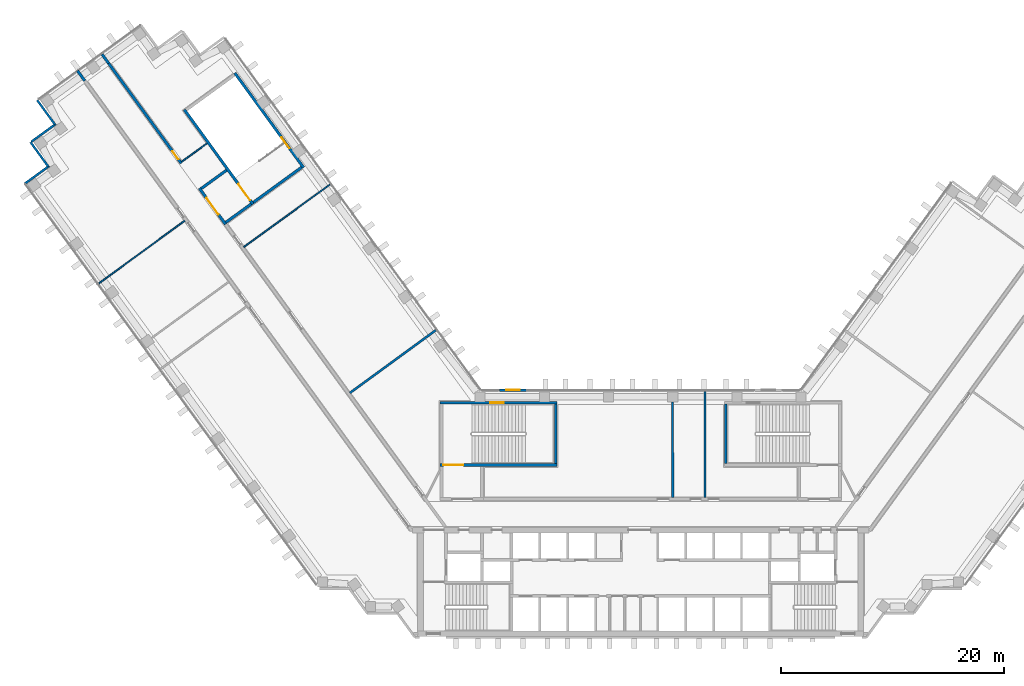
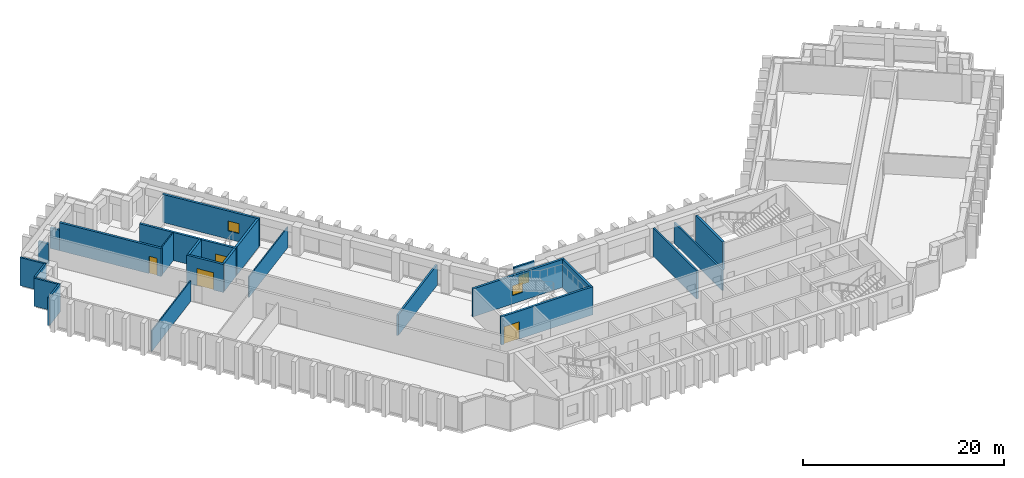
# One storey, part 6 of 11: 24 walls, 4 doors, 3 windows, 7 openings.
"""IFC4 building model written with IfcOpenShell, lengths in metres."""

from ifc_helpers import new_model, si_unit, direction, frame, frame_2d, origin, place, context, subcontext, project, spatial, rectangle, extrude, material, layer, layer_set, type_object, element, fill, save


model = new_model("IFC4")

# Units and contexts
model_context = context("Model", 3, precision=1e-05, world=origin(), true_north=direction((0.0, 1.0)))
body_context = subcontext(model_context, "Body", "Model", "MODEL_VIEW")
ifc_project = project(units=[si_unit("LENGTHUNIT", "METRE"), si_unit("AREAUNIT", "SQUARE_METRE"), si_unit("VOLUMEUNIT", "CUBIC_METRE"), si_unit("PLANEANGLEUNIT", "RADIAN"), si_unit("MASSUNIT", "GRAM", prefix="KILO")], contexts=[model_context])

# Site, building, storey
site_placement = place(None, origin())
site = spatial("IfcSite", under=ifc_project, at=site_placement, CompositionType="ELEMENT")
building_placement = place(site_placement, origin())
building = spatial("IfcBuilding", under=site, at=building_placement, Name="Quipu Civic Tower", CompositionType="ELEMENT")
storey_placement = place(building_placement, frame((0.0, 0.0, 129.0)))
storey = spatial("IfcBuildingStorey", under=building, at=storey_placement, Name="L30", CompositionType="ELEMENT", Elevation=129.0)

# Walls
ifc_material_1 = material(Name="Fired clay blockwork", Category="masonry")
ifc_layer_1 = layer(ifc_material_1, 0.199951171875)
ifc_layer_set_1 = layer_set([ifc_layer_1], Name="Fired clay blockwork")
wall_type_1 = type_object("IfcWallType", Name="Blockwork wall 200", PredefinedType="SOLIDWALL", material=ifc_layer_set_1)
wall_1_placement = place(storey_placement, frame((5.778076171875, 11.0, 0.0), z_axis=(0.0, 0.0, 1.0), x_axis=(0.0, -1.0, 0.0)))
element("IfcWall", 1, at=wall_1_placement, inside=storey, type_object=wall_type_1, Name="Partition P02", PredefinedType="SOLIDWALL", context=body_context, shape_type="SweptSolid", body=[
    extrude(rectangle(XDim=9.550048828125, YDim=0.199951171875, at=frame_2d((4.77490234375, 0.0))), origin(), (0.0, 0.0, 1.0), 2.5),
])
wall_2_placement = place(storey_placement, frame((2.87890625, 1.449951171875, 0.0), z_axis=(0.0, 0.0, 1.0), x_axis=(-0.002357613104, 0.999997220826, 0.0)))
element("IfcWall", 2, at=wall_2_placement, inside=storey, type_object=wall_type_1, Name="Partition P04", PredefinedType="SOLIDWALL", context=body_context, shape_type="SweptSolid", body=[
    extrude(rectangle(XDim=8.594970703125, YDim=0.199951171875, at=frame_2d((4.29736328125, 0.0))), origin(), (0.0, 0.0, 1.0), 3.39990234375),
])
wall_3_placement = place(storey_placement, frame((-26.089111328125, 10.847900390625, 0.0), z_axis=(0.0, 0.0, 1.0), x_axis=(0.807661302092, 0.589646691759, 0.0)))
element("IfcWall", 3, at=wall_3_placement, inside=storey, type_object=wall_type_1, Name="Partition P08", PredefinedType="SOLIDWALL", context=body_context, shape_type="SweptSolid", body=[
    extrude(rectangle(XDim=9.550048828125, YDim=0.199951171875, at=frame_2d((4.77490234375, 0.0))), origin(), (0.0, 0.0, 1.0), 2.5),
])

# Wall, opening, door
ifc_material_2 = material(Name="Concrete C70/85", Category="concrete")
ifc_layer_2 = layer(ifc_material_2, 0.25)
ifc_layer_set_2 = layer_set([ifc_layer_2], Name="Concrete C70/85")
wall_type_2 = type_object("IfcWallType", Name="Core wall 250", PredefinedType="SHEAR", material=ifc_layer_set_2)
wall_4_placement = place(storey_placement, frame((-18.0, 4.375, 0.0), z_axis=(0.0, 0.0, 1.0), x_axis=(1.0, 0.0, 0.0)))
wall_4 = element("IfcWall", 4, at=wall_4_placement, inside=storey, type_object=wall_type_2, Name="Core wall", PredefinedType="SHEAR", context=body_context, shape_type="SweptSolid", body=[
    extrude(rectangle(XDim=10.5, YDim=0.25, at=frame_2d((5.25, 0.0))), origin(), (0.0, 0.0, 1.0), 3.39990234375),
])
opening_1_placement = place(wall_4_placement, frame((0.300048828125, 0.0, 0.0)))
opening_1 = element("IfcOpeningElement", 5, at=opening_1_placement, cuts=wall_4, Name="Opening CD-17", PredefinedType="OPENING", context=body_context, shape_type="SweptSolid", body=[
    extrude(rectangle(XDim=1.800048828125, YDim=2.10009765625, at=frame_2d((0.89990234375, 1.050048828125))), frame((0.0, 0.135009765625, 0.0), z_axis=(0.0, -1.0, 0.0), x_axis=(1.0, 0.0, 0.0)), (0.0, 0.0, 1.0), 0.27001953125),
])
ifc_material_3 = material(Name="Fire rated steel door", Category="steel")
door_type_1 = type_object("IfcDoorType", Name="Fire door FD90 double 1800 x 2100", OperationType="NOTDEFINED", PredefinedType="DOOR", material=ifc_material_3)
door_1_placement = place(opening_1_placement, origin())
door_1 = element("IfcDoor", 6, at=door_1_placement, inside=storey, type_object=door_type_1, Name="Door", OperationType="DOUBLE_DOOR_SINGLE_SWING", OverallHeight=2.10009765625, OverallWidth=1.800048828125, PredefinedType="DOOR", context=body_context, shape_type="SweptSolid", body=[
    extrude(rectangle(XDim=1.800048828125, YDim=2.10009765625, at=frame_2d((0.89990234375, 1.050048828125))), frame((0.0, 0.02490234375, 0.0), z_axis=(0.0, -1.0, 0.0), x_axis=(1.0, 0.0, 0.0)), (0.0, 0.0, 1.0), 0.050048828125),
])
fill(opening_1, door_1)

# Wall
wall_5_placement = place(storey_placement, frame((-7.625, 4.5, 0.0), z_axis=(0.0, 0.0, 1.0), x_axis=(0.0, 1.0, 0.0)))
element("IfcWall", 7, at=wall_5_placement, inside=storey, type_object=wall_type_2, Name="Core wall", PredefinedType="SHEAR", context=body_context, shape_type="SweptSolid", body=[
    extrude(rectangle(XDim=5.35009765625, YDim=0.25, at=frame_2d((2.675048828125, 0.0))), origin(), (0.0, 0.0, 1.0), 3.39990234375),
])

# Wall, opening, window
wall_6_placement = place(storey_placement, frame((-18.0, 9.97509765625, 0.0), z_axis=(0.0, 0.0, 1.0), x_axis=(1.0, 0.0, 0.0)))
wall_6 = element("IfcWall", 8, at=wall_6_placement, inside=storey, type_object=wall_type_2, Name="Core wall", PredefinedType="SHEAR", context=body_context, shape_type="SweptSolid", body=[
    extrude(rectangle(XDim=10.5, YDim=0.25, at=frame_2d((5.25, 0.0))), origin(), (0.0, 0.0, 1.0), 3.39990234375),
])
opening_2_placement = place(wall_6_placement, frame((4.5, 0.0, 1.0)))
opening_2 = element("IfcOpeningElement", 9, at=opening_2_placement, cuts=wall_6, Name="Opening SV-3", PredefinedType="OPENING", context=body_context, shape_type="SweptSolid", body=[
    extrude(rectangle(XDim=1.199951171875, YDim=1.199951171875, at=frame_2d((0.60009765625, 0.60009765625))), frame((0.0, 0.135009765625, 0.0), z_axis=(0.0, -1.0, 0.0), x_axis=(1.0, 0.0, 0.0)), (0.0, 0.0, 1.0), 0.27001953125),
])
ifc_material_4 = material(Name="Aluminium louvre", Category="aluminium")
window_type_1 = type_object("IfcWindowType", Name="Stair ventilation louvre 1200 x 1200", PartitioningType="SINGLE_PANEL", PredefinedType="WINDOW", material=ifc_material_4)
window_1_placement = place(opening_2_placement, origin())
window_1 = element("IfcWindow", 10, at=window_1_placement, inside=storey, type_object=window_type_1, Name="Stair ventilation opening", OverallHeight=1.199951171875, OverallWidth=1.199951171875, PartitioningType="SINGLE_PANEL", PredefinedType="WINDOW", context=body_context, shape_type="SweptSolid", body=[
    extrude(rectangle(XDim=1.199951171875, YDim=1.199951171875, at=frame_2d((0.60009765625, 0.60009765625))), frame((0.0, 0.030029296875, 0.0), z_axis=(0.0, -1.0, 0.0), x_axis=(1.0, 0.0, 0.0)), (0.0, 0.0, 1.0), 0.06005859375),
])
fill(opening_2, window_1)

# Wall
wall_7_placement = place(storey_placement, frame((7.625, 4.5, 0.0), z_axis=(0.0, 0.0, 1.0), x_axis=(0.0, 1.0, 0.0)))
element("IfcWall", 11, at=wall_7_placement, inside=storey, type_object=wall_type_2, Name="Core wall", PredefinedType="SHEAR", context=body_context, shape_type="SweptSolid", body=[
    extrude(rectangle(XDim=5.35009765625, YDim=0.25, at=frame_2d((2.675048828125, 0.0))), origin(), (0.0, 0.0, 1.0), 3.39990234375),
])

# Wall, opening, window
wall_8_placement = place(storey_placement, frame((-30.239501953125, 31.06396484375, 0.0), z_axis=(0.0, 0.0, 1.0), x_axis=(-0.587795589702, 0.809009483706, 0.0)))
wall_8 = element("IfcWall", 12, at=wall_8_placement, inside=storey, type_object=wall_type_2, Name="Core wall", PredefinedType="SHEAR", context=body_context, shape_type="SweptSolid", body=[
    extrude(rectangle(XDim=10.5, YDim=0.25, at=frame_2d((5.25, 0.0))), origin(), (0.0, 0.0, 1.0), 3.39990234375),
])
opening_3_placement = place(wall_8_placement, frame((2.14990234375, 0.0, 1.0)))
opening_3 = element("IfcOpeningElement", 13, at=opening_3_placement, cuts=wall_8, Name="Opening SV-6", PredefinedType="OPENING", context=body_context, shape_type="SweptSolid", body=[
    extrude(rectangle(XDim=1.199951171875, YDim=1.199951171875, at=frame_2d((0.60009765625, 0.60009765625))), frame((0.0, 0.135009765625, 0.0), z_axis=(0.0, -1.0, 0.0), x_axis=(1.0, 0.0, 0.0)), (0.0, 0.0, 1.0), 0.27001953125),
])
window_2_placement = place(opening_3_placement, origin())
window_2 = element("IfcWindow", 14, at=window_2_placement, inside=storey, type_object=window_type_1, Name="Stair ventilation opening", OverallHeight=1.199951171875, OverallWidth=1.199951171875, PartitioningType="SINGLE_PANEL", PredefinedType="WINDOW", context=body_context, shape_type="SweptSolid", body=[
    extrude(rectangle(XDim=1.199951171875, YDim=1.199951171875, at=frame_2d((0.60009765625, 0.60009765625))), frame((0.0, 0.030029296875, 0.0), z_axis=(0.0, -1.0, 0.0), x_axis=(1.0, 0.0, 0.0)), (0.0, 0.0, 1.0), 0.06005859375),
])
fill(opening_3, window_2)

# Wall
wall_9_placement = place(storey_placement, frame((-30.414306640625, 31.091796875, 0.0), z_axis=(0.0, 0.0, 1.0), x_axis=(-0.8089984606, -0.587810760999, 0.0)))
element("IfcWall", 15, at=wall_9_placement, inside=storey, type_object=wall_type_2, Name="Core wall", PredefinedType="SHEAR", context=body_context, shape_type="SweptSolid", body=[
    extrude(rectangle(XDim=5.35009765625, YDim=0.25, at=frame_2d((2.675048828125, 0.0))), origin(), (0.0, 0.0, 1.0), 3.39990234375),
])

# Wall, opening, door
wall_10_placement = place(storey_placement, frame((-40.94189453125, 36.26708984375, 0.0), z_axis=(0.0, 0.0, 1.0), x_axis=(0.587795589702, -0.809009483706, 0.0)))
wall_10 = element("IfcWall", 16, at=wall_10_placement, inside=storey, type_object=wall_type_2, Name="Core wall", PredefinedType="SHEAR", context=body_context, shape_type="SweptSolid", body=[
    extrude(rectangle(XDim=10.5, YDim=0.25, at=frame_2d((5.25, 0.0))), origin(), (0.0, 0.0, 1.0), 3.39990234375),
])
opening_4_placement = place(wall_10_placement, frame((8.25, 0.0, 0.0)))
opening_4 = element("IfcOpeningElement", 17, at=opening_4_placement, cuts=wall_10, Name="Opening CD-20", PredefinedType="OPENING", context=body_context, shape_type="SweptSolid", body=[
    extrude(rectangle(XDim=1.800048828125, YDim=2.10009765625, at=frame_2d((0.89990234375, 1.050048828125))), frame((0.0, 0.135009765625, 0.0), z_axis=(0.0, -1.0, 0.0), x_axis=(1.0, 0.0, 0.0)), (0.0, 0.0, 1.0), 0.27001953125),
])
door_2_placement = place(opening_4_placement, origin())
door_2 = element("IfcDoor", 18, at=door_2_placement, inside=storey, type_object=door_type_1, Name="Door", OperationType="DOUBLE_DOOR_SINGLE_SWING", OverallHeight=2.10009765625, OverallWidth=1.800048828125, PredefinedType="DOOR", context=body_context, shape_type="SweptSolid", body=[
    extrude(rectangle(XDim=1.800048828125, YDim=2.10009765625, at=frame_2d((0.89990234375, 1.050048828125))), frame((0.0, 0.02490234375, 0.0), z_axis=(0.0, -1.0, 0.0), x_axis=(1.0, 0.0, 0.0)), (0.0, 0.0, 1.0), 0.050048828125),
])
fill(opening_4, door_2)

# Walls
for number, where, z_axis, x_axis, name in (
    (19, (-34.944580078125, 27.800048828125, 0.0), (0.0, 0.0, 1.0), (-0.809041377956, -0.587751689708, 0.0), "Core wall"),
    (20, (-37.14892578125, 30.833984375, 0.0), (0.0, 0.0, 1.0), (-0.808969789945, -0.58785021813, 0.0), "Core wall"),
):
    element("IfcWall", number, at=place(storey_placement, frame(where, z_axis=z_axis, x_axis=x_axis)), inside=storey, type_object=wall_type_2, Name=name, PredefinedType="SHEAR", context=body_context, shape_type="SweptSolid", body=[
        extrude(rectangle(XDim=2.800048828125, YDim=0.25, at=frame_2d((1.39990234375, 0.0))), origin(), (0.0, 0.0, 1.0), 3.39990234375),
    ])

# Wall, opening, door
wall_11_placement = place(storey_placement, frame((-39.588623046875, 29.2158203125, 0.0), z_axis=(0.0, 0.0, 1.0), x_axis=(0.587772420479, -0.809026317077, 0.0)))
wall_11 = element("IfcWall", 21, at=wall_11_placement, inside=storey, type_object=wall_type_2, Name="Core wall", PredefinedType="SHEAR", context=body_context, shape_type="SweptSolid", body=[
    extrude(rectangle(XDim=4.0, YDim=0.25, at=frame_2d((2.0, 0.0))), origin(), (0.0, 0.0, 1.0), 3.39990234375),
])
opening_5_placement = place(wall_11_placement, frame((1.10009765625, 0.0, 0.0)))
opening_5 = element("IfcOpeningElement", 22, at=opening_5_placement, cuts=wall_11, Name="Opening CD-21", PredefinedType="OPENING", context=body_context, shape_type="SweptSolid", body=[
    extrude(rectangle(XDim=1.800048828125, YDim=2.10009765625, at=frame_2d((0.89990234375, 1.050048828125))), frame((0.0, 0.135009765625, 0.0), z_axis=(0.0, -1.0, 0.0), x_axis=(1.0, 0.0, 0.0)), (0.0, 0.0, 1.0), 0.27001953125),
])
door_3_placement = place(opening_5_placement, origin())
door_3 = element("IfcDoor", 23, at=door_3_placement, inside=storey, type_object=door_type_1, Name="Lobby door", OperationType="DOUBLE_DOOR_SINGLE_SWING", OverallHeight=2.10009765625, OverallWidth=1.800048828125, PredefinedType="DOOR", context=body_context, shape_type="SweptSolid", body=[
    extrude(rectangle(XDim=1.800048828125, YDim=2.10009765625, at=frame_2d((0.89990234375, 1.050048828125))), frame((0.0, 0.02490234375, 0.0), z_axis=(0.0, -1.0, 0.0), x_axis=(1.0, 0.0, 0.0)), (0.0, 0.0, 1.0), 0.050048828125),
])
fill(opening_5, door_3)

ifc_material_5 = material(Name="Concrete C50/60", Category="concrete")
ifc_layer_3 = layer(ifc_material_5, 0.25)
ifc_layer_set_3 = layer_set([ifc_layer_3], Name="Concrete C50/60")
wall_type_3 = type_object("IfcWallType", Name="Corridor wall 250 concrete", PredefinedType="SOLIDWALL", material=ifc_layer_set_3)
wall_12_placement = place(storey_placement, frame((-47.724853515625, 40.414306640625, 0.0), z_axis=(0.0, 0.0, 1.0), x_axis=(0.587773291021, -0.809025684612, 0.0)))
wall_12 = element("IfcWall", 24, at=wall_12_placement, inside=storey, type_object=wall_type_3, Name="Corridor wall C02", PredefinedType="SOLIDWALL", context=body_context, shape_type="SweptSolid", body=[
    extrude(rectangle(XDim=11.07861328125, YDim=0.25, at=frame_2d((5.539306640625, 0.0))), origin(), (0.0, 0.0, 1.0), 3.39990234375),
])
opening_6_placement = place(wall_12_placement, frame((9.737060546875, 0.0, 0.0)))
opening_6 = element("IfcOpeningElement", 25, at=opening_6_placement, cuts=wall_12, Name="Opening D009", PredefinedType="OPENING", context=body_context, shape_type="SweptSolid", body=[
    extrude(rectangle(XDim=0.89990234375, YDim=2.10009765625, at=frame_2d((0.449951171875, 1.050048828125))), frame((0.0, 0.135009765625, 0.0), z_axis=(0.0, -1.0, 0.0), x_axis=(1.0, 0.0, 0.0)), (0.0, 0.0, 1.0), 0.27001953125),
])
ifc_material_6 = material(Name="Fire rated timber door set with metal frame", Category="wood")
door_type_2 = type_object("IfcDoorType", Name="Single door 900 x 2100 FD60", OperationType="NOTDEFINED", PredefinedType="DOOR", material=ifc_material_6)
door_4_placement = place(opening_6_placement, origin())
door_4 = element("IfcDoor", 26, at=door_4_placement, inside=storey, type_object=door_type_2, Name="Door D009", OperationType="SINGLE_SWING_RIGHT", OverallHeight=2.10009765625, OverallWidth=0.89990234375, PredefinedType="DOOR", context=body_context, shape_type="SweptSolid", body=[
    extrude(rectangle(XDim=0.89990234375, YDim=2.10009765625, at=frame_2d((0.449951171875, 1.050048828125))), frame((0.0, 0.02490234375, 0.0), z_axis=(0.0, -1.0, 0.0), x_axis=(1.0, 0.0, 0.0)), (0.0, 0.0, 1.0), 0.050048828125),
])
fill(opening_6, door_4)

# Walls
wall_13_placement = place(storey_placement, frame((-49.86865234375, 38.8564453125, 0.0), z_axis=(0.0, 0.0, 1.0), x_axis=(-0.587674273289, 0.809097613712, 0.0)))
element("IfcWall", 27, at=wall_13_placement, inside=storey, type_object=wall_type_3, Name="Corridor wall C01", PredefinedType="SOLIDWALL", context=body_context, shape_type="SweptSolid", body=[
    extrude(rectangle(XDim=1.109130859375, YDim=0.25, at=frame_2d((0.5546875, 0.0))), origin(), (0.0, 0.0, 1.0), 2.5),
])
wall_14_placement = place(storey_placement, frame((-47.724853515625, 40.414306640625, 0.0), z_axis=(0.0, 0.0, 1.0), x_axis=(-0.587840411638, 0.808976915892, 0.0)))
element("IfcWall", 28, at=wall_14_placement, inside=storey, type_object=wall_type_3, Name="Corridor wall C02", PredefinedType="SOLIDWALL", context=body_context, shape_type="SweptSolid", body=[
    extrude(rectangle(XDim=1.008056640625, YDim=0.25, at=frame_2d((0.50390625, 0.0))), origin(), (0.0, 0.0, 1.0), 2.5),
])
ifc_material_7 = material(Name="Gypsum plasterboard on light gauge framing")
ifc_layer_4 = layer(ifc_material_7, 0.1201171875)
ifc_layer_set_4 = layer_set([ifc_layer_4], Name="Gypsum plasterboard on light gauge framing")
wall_type_4 = type_object("IfcWallType", Name="Partition 120 plasterboard", PredefinedType="PARTITIONING", material=ifc_layer_set_4)
wall_15_placement = place(storey_placement, frame((-48.615478515625, 20.67138671875, 0.0), z_axis=(0.0, 0.0, 1.0), x_axis=(0.807691251741, 0.589605666408, 0.0)))
element("IfcWall", 29, at=wall_15_placement, inside=storey, type_object=wall_type_4, Name="Partition P01", PredefinedType="PARTITIONING", context=body_context, shape_type="SweptSolid", body=[
    extrude(rectangle(XDim=9.55029296875, YDim=0.1201171875, at=frame_2d((4.775146484375, 0.0))), origin(), (0.0, 0.0, 1.0), 2.5),
])
wall_16_placement = place(storey_placement, frame((-27.873046875, 29.550537109375, 0.0), z_axis=(0.0, 0.0, 1.0), x_axis=(-0.809043311713, -0.587749027879, 0.0)))
element("IfcWall", 30, at=wall_16_placement, inside=storey, type_object=wall_type_4, Name="Partition P09", PredefinedType="PARTITIONING", context=body_context, shape_type="SweptSolid", body=[
    extrude(rectangle(XDim=9.549560546875, YDim=0.1201171875, at=frame_2d((4.77490234375, 0.0))), origin(), (0.0, 0.0, 1.0), 2.5),
])
wall_17_placement = place(storey_placement, frame((-41.166015625, 31.59912109375, 0.0), z_axis=(0.0, 0.0, 1.0), x_axis=(0.809090262332, 0.587684394381, 0.0)))
element("IfcWall", 31, at=wall_17_placement, inside=storey, type_object=wall_type_4, Name="Partition P12", PredefinedType="PARTITIONING", context=body_context, shape_type="SweptSolid", body=[
    extrude(rectangle(XDim=2.80078125, YDim=0.1201171875, at=frame_2d((1.400390625, 0.0))), origin(), (0.0, 0.0, 1.0), 3.39990234375),
])
ifc_material_8 = material(Name="Precast concrete C40/50", Category="concrete")
wall_type_5 = type_object("IfcWallType", Name="Precast cladding wall", PredefinedType="SOLIDWALL", material=ifc_material_8)
for number, where, z_axis, x_axis, name in (
    (32, (-54.140380859375, 37.12255859375, 0.0), (0.0, 0.0, 1.0), (0.587822180636, -0.808990163075, 0.0), "Precast cladding wall L30 P07"),
    (33, (-52.46533203125, 34.9873046875, 0.0), (0.0, 0.0, 1.0), (-0.809033161865, -0.587762999008, 0.0), "Precast cladding wall L30 P08"),
):
    element("IfcWall", number, at=place(storey_placement, frame(where, z_axis=z_axis, x_axis=x_axis)), inside=storey, type_object=wall_type_5, Name=name, PredefinedType="SOLIDWALL", context=body_context, shape_type="SweptSolid", body=[
        extrude(rectangle(XDim=2.699951171875, YDim=0.199951171875, at=frame_2d((1.35009765625, 0.0))), origin(), (0.0, 0.0, 1.0), 3.39990234375),
    ])
wall_18_placement = place(storey_placement, frame((-54.73779296875, 33.351318359375, 0.0), z_axis=(0.0, 0.0, 1.0), x_axis=(0.587779184282, -0.809021403008, 0.0)))
element("IfcWall", 34, at=wall_18_placement, inside=storey, type_object=wall_type_5, Name="Precast cladding wall L30 P09", PredefinedType="SOLIDWALL", context=body_context, shape_type="SweptSolid", body=[
    extrude(rectangle(XDim=2.7001953125, YDim=0.199951171875, at=frame_2d((1.35009765625, 0.0))), origin(), (0.0, 0.0, 1.0), 3.39990234375),
])
wall_19_placement = place(storey_placement, frame((-53.062744140625, 31.2158203125, 0.0), z_axis=(0.0, 0.0, 1.0), x_axis=(-0.809033161865, -0.587762999008, 0.0)))
element("IfcWall", 35, at=wall_19_placement, inside=storey, type_object=wall_type_5, Name="Precast cladding wall L30 P10", PredefinedType="SOLIDWALL", context=body_context, shape_type="SweptSolid", body=[
    extrude(rectangle(XDim=2.699951171875, YDim=0.199951171875, at=frame_2d((1.35009765625, 0.0))), origin(), (0.0, 0.0, 1.0), 3.39990234375),
])

# Wall, opening, window
wall_20_placement = place(storey_placement, frame((-10.263427734375, 11.10009765625, 0.0), z_axis=(0.0, 0.0, 1.0), x_axis=(-1.0, 0.0, 0.0)))
wall_20 = element("IfcWall", 36, at=wall_20_placement, inside=storey, type_object=wall_type_5, Name="Vent surround SF-L28-1", PredefinedType="SOLIDWALL", context=body_context, shape_type="SweptSolid", body=[
    extrude(rectangle(XDim=2.3916015625, YDim=0.199951171875, at=frame_2d((1.19580078125, 0.0))), origin(), (0.0, 0.0, 1.0), 3.39990234375),
])
opening_7_placement = place(wall_20_placement, frame((0.595703125, 0.0, 1.0)))
opening_7 = element("IfcOpeningElement", 37, at=opening_7_placement, cuts=wall_20, Name="Opening SF-L28-1", PredefinedType="OPENING", context=body_context, shape_type="SweptSolid", body=[
    extrude(rectangle(XDim=1.199951171875, YDim=1.199951171875, at=frame_2d((0.60009765625, 0.60009765625))), frame((0.0, 0.10986328125, 0.0), z_axis=(0.0, -1.0, 0.0), x_axis=(1.0, 0.0, 0.0)), (0.0, 0.0, 1.0), 0.219970703125),
])
ifc_material_9 = material(Name="Anodised aluminium louvre", Category="aluminium")
window_type_2 = type_object("IfcWindowType", Name="Stair vent louvre window P3", PartitioningType="SINGLE_PANEL", PredefinedType="WINDOW", material=ifc_material_9)
window_3_placement = place(opening_7_placement, origin())
window_3 = element("IfcWindow", 38, at=window_3_placement, inside=storey, type_object=window_type_2, Name="Stair vent louvre SF-L28-1", OverallHeight=1.199951171875, OverallWidth=1.199951171875, PartitioningType="SINGLE_PANEL", PredefinedType="WINDOW", context=body_context, shape_type="SweptSolid", body=[
    extrude(rectangle(XDim=1.199951171875, YDim=1.199951171875, at=frame_2d((0.60009765625, 0.60009765625))), frame((0.0, 0.030029296875, 0.0), z_axis=(0.0, -1.0, 0.0), x_axis=(1.0, 0.0, 0.0)), (0.0, 0.0, 1.0), 0.06005859375),
])
fill(opening_7, window_3)

save(model, "model.ifc")
